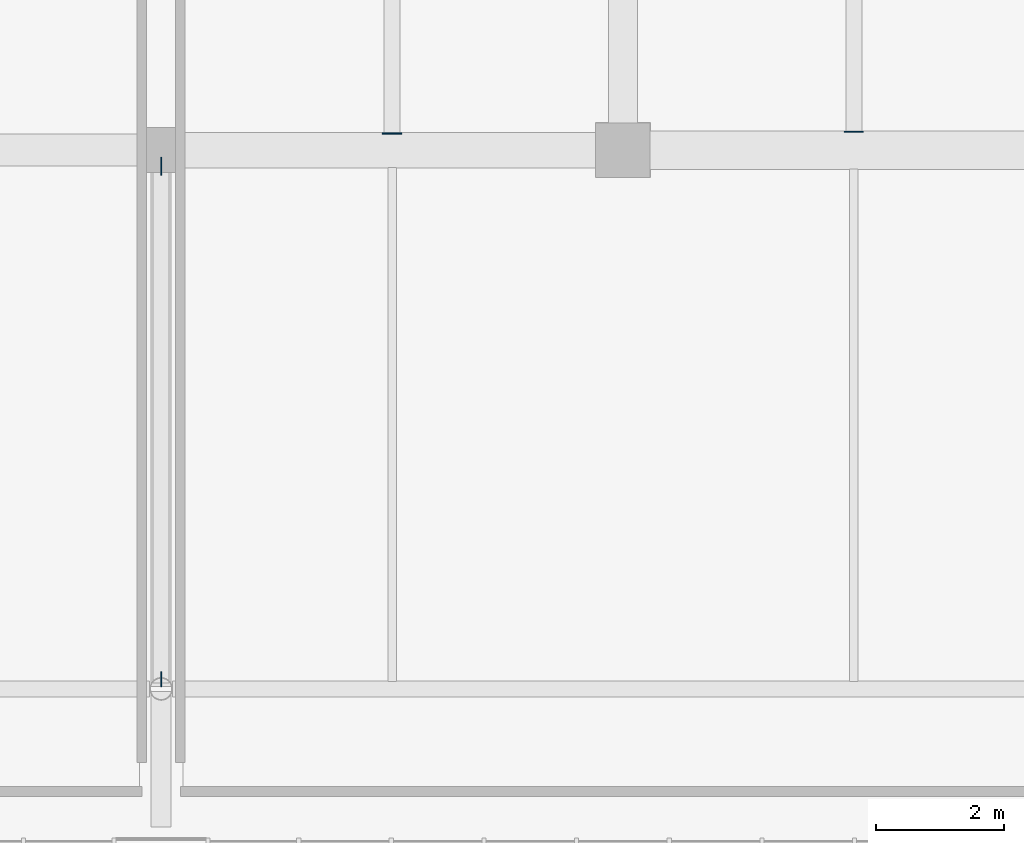
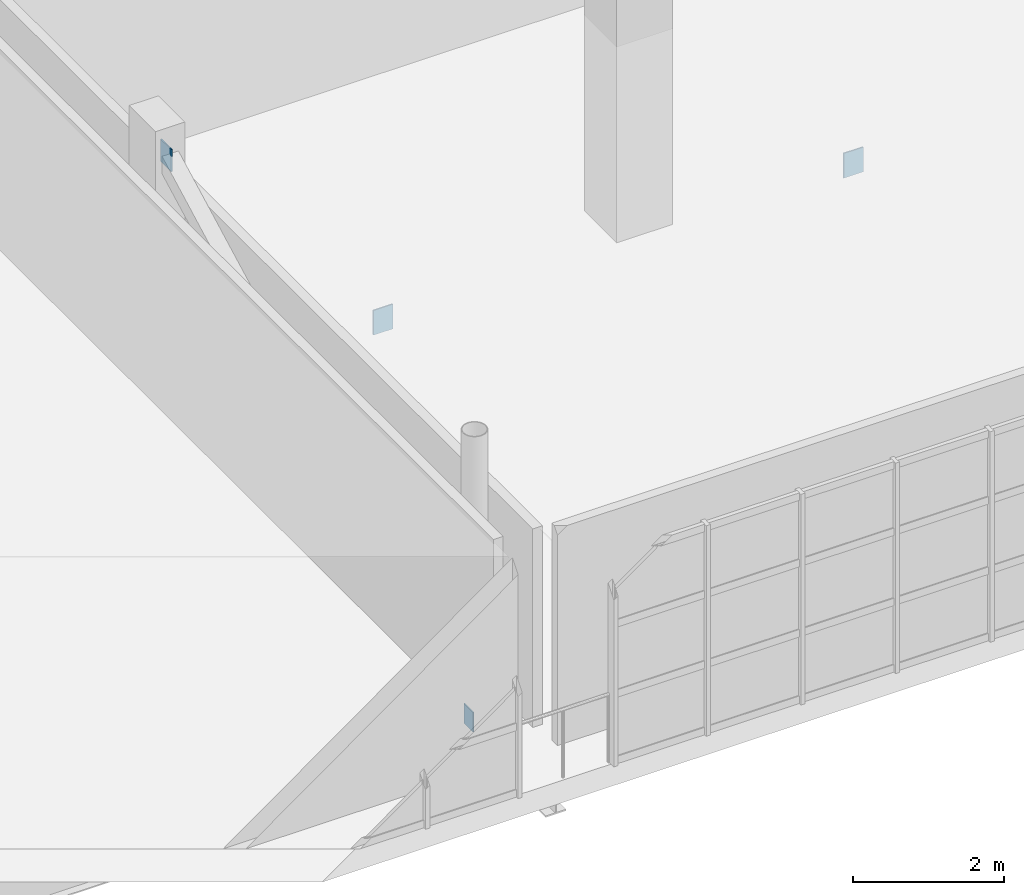
# One storey, part 59 of 90: 4 plates.
"""IFC4 building model written with IfcOpenShell, lengths in metres."""

from ifc_helpers import new_model, si_unit, direction, frame, origin, origin_2d, place, context, subcontext, project, spatial, rectangle, extrude, material, layer, layer_set, type_object, element, save


model = new_model("IFC4")

# Units and contexts
model_context = context("Model", 3, precision=1e-05, world=origin(), true_north=direction((0.0, 1.0)))
body_context = subcontext(model_context, "Body", "Model", "MODEL_VIEW")
ifc_project = project(units=[si_unit("LENGTHUNIT", "METRE"), si_unit("AREAUNIT", "SQUARE_METRE"), si_unit("VOLUMEUNIT", "CUBIC_METRE"), si_unit("PLANEANGLEUNIT", "RADIAN"), si_unit("MASSUNIT", "GRAM", prefix="KILO")], contexts=[model_context])

# Site, building, storey
site_placement = place(None, origin())
site = spatial("IfcSite", under=ifc_project, at=site_placement, CompositionType="ELEMENT")
building_placement = place(site_placement, origin())
building = spatial("IfcBuilding", under=site, at=building_placement, Name="Solanera Park Tramway Depot", CompositionType="ELEMENT")
storey_placement = place(building_placement, frame((0.0, 0.0, 9.0)))
storey = spatial("IfcBuildingStorey", under=building, at=storey_placement, Name="L02", CompositionType="ELEMENT", Elevation=9.0)

# Plates
ifc_material_1 = material(Name="Steel AS/NZS 3679.1 Grade 350", Category="steel")
ifc_layer_1 = layer(ifc_material_1, 0.01611328125)
ifc_layer_set_1 = layer_set([ifc_layer_1], Name="Steel AS/NZS 3679.1 Grade 350")
plate_type_1 = type_object("IfcPlateType", Name="Hollow End Cap and Base Plate 320x240x16", PredefinedType="USERDEFINED", material=ifc_layer_set_1)
plate_1_placement = place(storey_placement, frame((129.60009765625, 2.550048828125, -0.7099609375), z_axis=(0.0, 0.0, 1.0), x_axis=(1.0, 0.0, 0.0)))
element("IfcPlate", 1, at=plate_1_placement, inside=storey, type_object=plate_type_1, Name="Hollow Section End Cap Plate #0001", ObjectType="BASE PLATE", PredefinedType="USERDEFINED", context=body_context, shape_type="SweptSolid", body=[
    extrude(rectangle(XDim=0.01611328125, YDim=0.239990234375, at=origin_2d()), origin(), (0.0, 0.0, 1.0), 0.320068359375),
])
ifc_material_2 = material(Name="Steel AS/NZS 3679.1 Grade 350", Category="steel")
ifc_layer_2 = layer(ifc_material_2, 0.01806640625)
ifc_layer_set_2 = layer_set([ifc_layer_2], Name="Steel AS/NZS 3679.1 Grade 350")
plate_type_2 = type_object("IfcPlateType", Name="Hollow End Cap and Base Plate 360x280x18", PredefinedType="USERDEFINED", material=ifc_layer_set_2)
plate_2_placement = place(storey_placement, frame((129.60009765625, 10.550048828125, 3.5), z_axis=(0.0, 0.0, 1.0), x_axis=(1.0, 0.0, 0.0)))
element("IfcPlate", 2, at=plate_2_placement, inside=storey, type_object=plate_type_2, Name="Hollow Section End Cap Plate #0002", ObjectType="BASE PLATE", PredefinedType="USERDEFINED", context=body_context, shape_type="SweptSolid", body=[
    extrude(rectangle(XDim=0.01806640625, YDim=0.280029296875, at=origin_2d()), origin(), (0.0, 0.0, 1.0), 0.360107421875),
])
ifc_material_3 = material(Name="Steel AS/NZS 3679.1 Grade 350", Category="steel")
ifc_layer_3 = layer(ifc_material_3, 0.02001953125)
ifc_layer_set_3 = layer_set([ifc_layer_3], Name="Steel AS/NZS 3679.1 Grade 350")
plate_type_3 = type_object("IfcPlateType", Name="Hollow End Cap and Base Plate 400x300x20", PredefinedType="USERDEFINED", material=ifc_layer_set_3)
for number, where, z_axis, x_axis, name in (
    (3, (133.199951171875, 11.06103515625, -0.739013671875), (0.0, 0.0, 1.0), (0.0, 1.0, 0.0), "Hollow Section Welded End Cap Plate #0032"),
    (4, (140.39990234375, 11.0859375, -0.739013671875), (0.0, 0.0, 1.0), (0.0, 1.0, 0.0), "Hollow Section Welded End Cap Plate #0034"),
):
    element("IfcPlate", number, at=place(storey_placement, frame(where, z_axis=z_axis, x_axis=x_axis)), inside=storey, type_object=plate_type_3, Name=name, ObjectType="BASE PLATE", PredefinedType="USERDEFINED", context=body_context, shape_type="SweptSolid", body=[
        extrude(rectangle(XDim=0.02001953125, YDim=0.300048828125, at=origin_2d()), origin(), (0.0, 0.0, 1.0), 0.39990234375),
    ])

save(model, "model.ifc")
